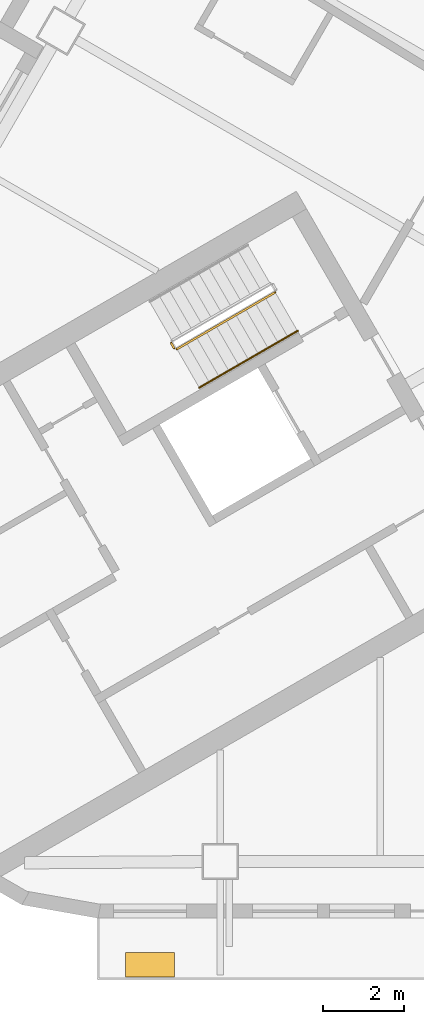
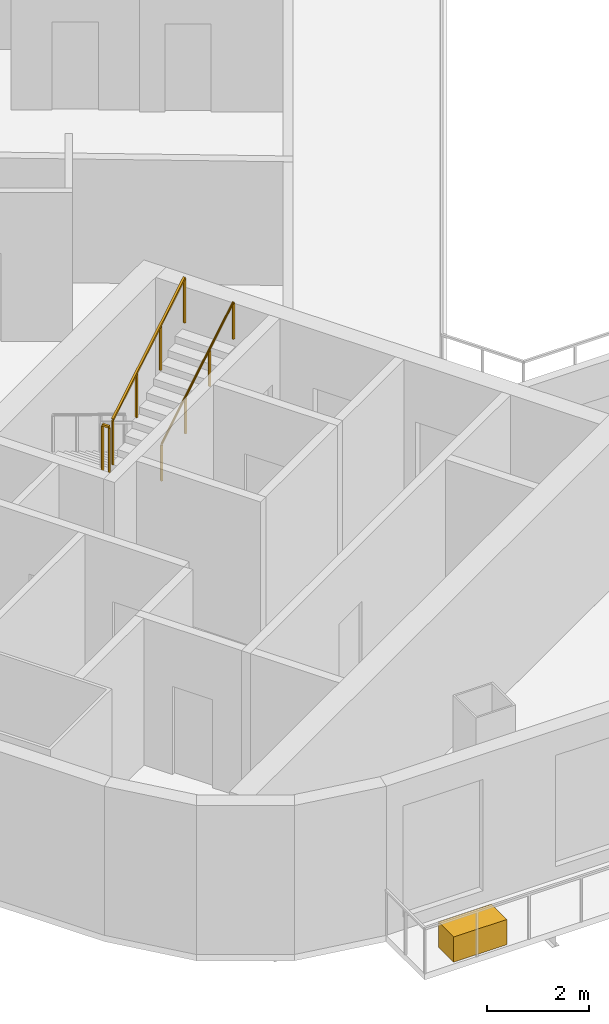
# One storey, part 8 of 13: 3 railings, 1 covering.
"""IFC4 building model written with IfcOpenShell, lengths in metres."""

from ifc_helpers import new_model, si_unit, direction, frame, origin, origin_2d, place, context, subcontext, project, spatial, rectangle, circle, extrude, material, type_object, element, save


model = new_model("IFC4")

# Units and contexts
model_context = context("Model", 3, precision=1e-05, world=origin(), true_north=direction((0.0, 1.0)))
body_context = subcontext(model_context, "Body", "Model", "MODEL_VIEW")
ifc_project = project(units=[si_unit("LENGTHUNIT", "METRE"), si_unit("AREAUNIT", "SQUARE_METRE"), si_unit("VOLUMEUNIT", "CUBIC_METRE"), si_unit("PLANEANGLEUNIT", "RADIAN"), si_unit("MASSUNIT", "GRAM", prefix="KILO")], contexts=[model_context])

# Site, building, storey
site_placement = place(None, origin())
site = spatial("IfcSite", under=ifc_project, at=site_placement, CompositionType="ELEMENT")
building_placement = place(site_placement, origin())
building = spatial("IfcBuilding", under=site, at=building_placement, Name="Apuvela Tower Hotel", CompositionType="ELEMENT")
storey_placement = place(building_placement, frame((0.0, 0.0, 102.0)))
storey = spatial("IfcBuildingStorey", under=building, at=storey_placement, Name="L23", CompositionType="ELEMENT", Elevation=102.0)

# Railings
ifc_material_1 = material(Name="Steel S275 balustrade", Category="steel")
railing_type_1 = type_object("IfcRailingType", Name="COR-GUARD-1100", PredefinedType="GUARDRAIL", material=ifc_material_1)
railing_1_placement = place(storey_placement, frame((-17.01220703125, -5.43408203125, 1.85009765625)))
element("IfcRailing", 1, at=railing_1_placement, inside=storey, type_object=railing_type_1, Name="L23 ST2 stair guard 2", PredefinedType="GUARDRAIL", context=body_context, shape_type="SweptSolid", body=[
    extrude(rectangle(XDim=0.048095703125, YDim=0.048095703125, at=origin_2d()), frame((0.0, 0.0, 1.076171875), z_axis=(0.499816412211, -0.866131372301, 0.0), x_axis=(0.866131372301, 0.499816412211, 0.0)), (0.0, 0.0, 1.0), 0.14990234375),
    extrude(rectangle(XDim=0.0419921875, YDim=0.0419921875, at=origin_2d()), origin(), (0.0, 0.0, 1.0), 1.052001953125),
    extrude(rectangle(XDim=0.0419921875, YDim=0.0419921875, at=origin_2d()), frame((0.074951171875, -0.1298828125, 0.0)), (0.0, 0.0, 1.0), 1.052001953125),
])
railing_2_placement = place(storey_placement, frame((-16.868896484375, -5.582275390625, 2.01806640625)))
element("IfcRailing", 2, at=railing_2_placement, inside=storey, type_object=railing_type_1, Name="L23 ST2 stair guard 3", PredefinedType="GUARDRAIL", context=body_context, shape_type="SweptSolid", body=[
    extrude(rectangle(XDim=0.048095703125, YDim=0.048095703125, at=origin_2d()), frame((0.0, 0.0, 1.076171875), z_axis=(0.742390482028, 0.42860119049, 0.514934356695), x_axis=(-0.49998411664, 0.866034573852, 0.0)), (0.0, 0.0, 1.0), 3.26611328125),
    extrude(rectangle(XDim=0.0419921875, YDim=0.0419921875, at=origin_2d()), origin(), (0.0, 0.0, 1.0), 1.052001953125),
    extrude(rectangle(XDim=0.0419921875, YDim=0.0419921875, at=origin_2d()), frame((0.808349609375, 0.466552734375, 0.560546875)), (0.0, 0.0, 1.0), 1.052001953125),
    extrude(rectangle(XDim=0.0419921875, YDim=0.0419921875, at=origin_2d()), frame((1.616455078125, 0.933349609375, 1.121337890625)), (0.0, 0.0, 1.0), 1.052001953125),
    extrude(rectangle(XDim=0.0419921875, YDim=0.0419921875, at=origin_2d()), frame((2.4248046875, 1.39990234375, 1.681884765625)), (0.0, 0.0, 1.0), 1.052001953125),
])
ifc_material_2 = material(Name="Stainless steel 316 handrail", Category="steel")
railing_type_2 = type_object("IfcRailingType", Name="COR-HANDRAIL-900", PredefinedType="HANDRAIL", material=ifc_material_2)
railing_3_placement = place(storey_placement, frame((-16.31884765625, -6.534912109375, 2.01806640625)))
element("IfcRailing", 3, at=railing_3_placement, inside=storey, type_object=railing_type_2, Name="L23 ST2 stair handrail 2", PredefinedType="HANDRAIL", context=body_context, shape_type="SweptSolid", body=[
    extrude(circle(Radius=0.02392578125, at=origin_2d()), frame((0.0, 0.0, 0.8759765625), z_axis=(0.742390482028, 0.42860119049, 0.514934356695), x_axis=(-0.49998411664, 0.866034573852, 0.0)), (0.0, 0.0, 1.0), 3.26611328125),
    extrude(rectangle(XDim=0.0419921875, YDim=0.0419921875, at=origin_2d()), origin(), (0.0, 0.0, 1.0), 0.851806640625),
    extrude(rectangle(XDim=0.0419921875, YDim=0.0419921875, at=origin_2d()), frame((0.808349609375, 0.466552734375, 0.560546875)), (0.0, 0.0, 1.0), 0.851806640625),
    extrude(rectangle(XDim=0.0419921875, YDim=0.0419921875, at=origin_2d()), frame((1.616455078125, 0.933349609375, 1.121337890625)), (0.0, 0.0, 1.0), 0.851806640625),
    extrude(rectangle(XDim=0.0419921875, YDim=0.0419921875, at=origin_2d()), frame((2.4248046875, 1.39990234375, 1.681884765625)), (0.0, 0.0, 1.0), 0.851806640625),
])

# Covering
ifc_material_3 = material(Name="Planting substrate and soil, planted")
covering_type = type_object("IfcCoveringType", Name="ENV-PLANTER-1200x600", PredefinedType="USERDEFINED", material=ifc_material_3)
covering_placement = place(storey_placement, frame((-17.53515625, -20.780029296875, 0.0), z_axis=(0.0, 0.0, 1.0), x_axis=(1.0, 0.0, 0.0)))
element("IfcCovering", 4, at=covering_placement, inside=storey, type_object=covering_type, Name="Planter S1", ObjectType="PLANTER", PredefinedType="USERDEFINED", context=body_context, shape_type="SweptSolid", body=[
    extrude(rectangle(XDim=1.199951171875, YDim=0.60009765625, at=origin_2d()), origin(), (0.0, 0.0, 1.0), 0.60009765625),
])

save(model, "model.ifc")
